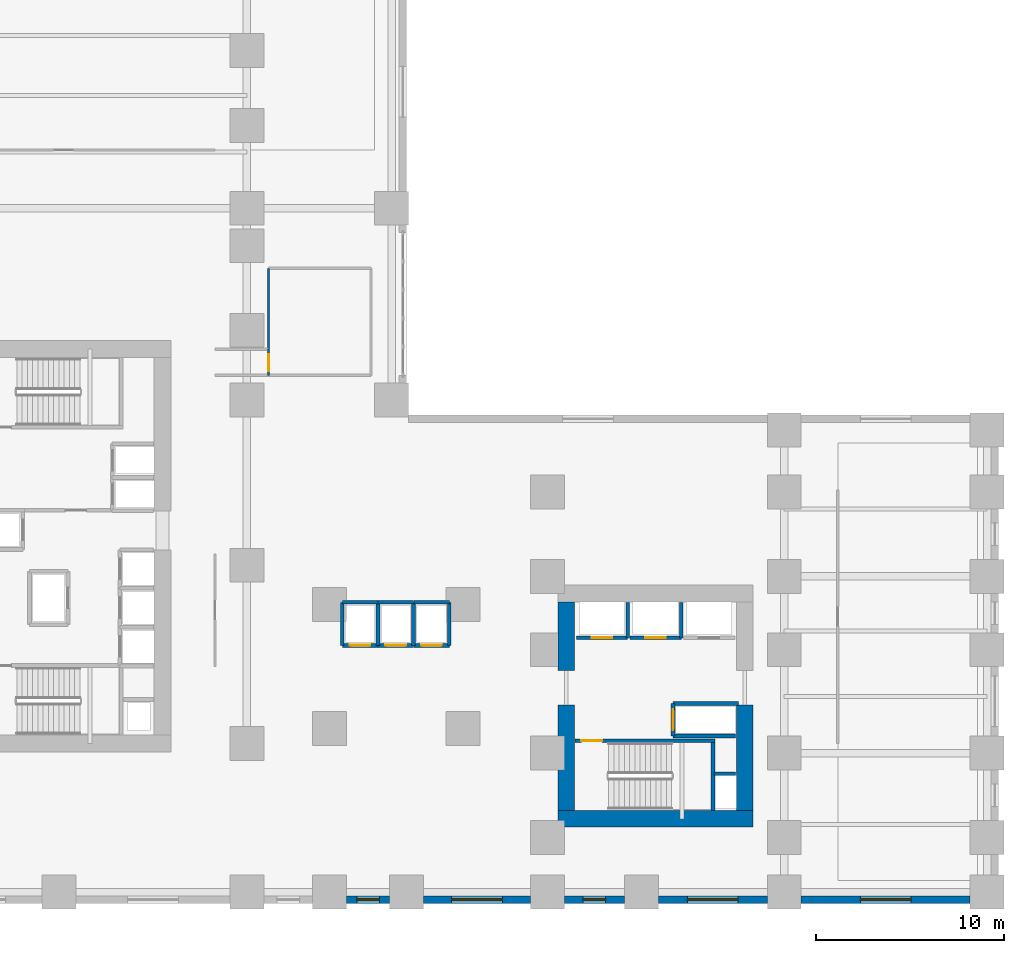
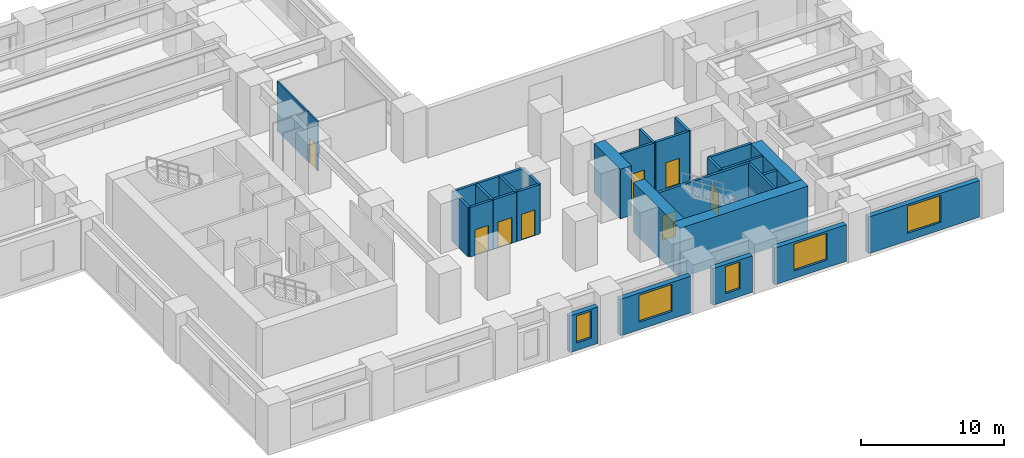
# One storey, part 8 of 13: 31 walls, 8 doors, 5 windows, 13 openings.
"""IFC4 building model written with IfcOpenShell, lengths in metres."""

import ifcopenshell
import ifcopenshell.guid

model = None  # the IFC model being written
_history = None  # IfcOwnerHistory: only IFC2X3 demands one
_inside = {}  # id of a spatial element -> (the spatial element, [elements in it])
_under = {}  # id of a project, library or spatial element -> (it, [spatial elements below it])
_declared = {}  # id of a project -> (the project, [libraries it declares])
_typed = {}  # id of a type object -> (the type object, [elements of that type])
_made_of = {}  # id of a material, layer set ... -> (it, [elements and type objects made of it])


def new_model(schema):
    """Start an empty IFC model of exactly this schema.

    Asked for "IFC4X3", IfcOpenShell would pick the latest addendum, in which some entities
    have other attributes; the version numbers below select the first issue.
    IFC2X3 requires an IfcOwnerHistory on every rooted entity: one is made here for all.
    """
    global model, _history
    if schema == "IFC4X3":
        model = ifcopenshell.file(schema_version=(4, 3, 0, 0))
    else:
        model = ifcopenshell.file(schema=schema)
    _inside.clear()
    _under.clear()
    _declared.clear()
    _typed.clear()
    _made_of.clear()
    _history = None
    if model.schema == "IFC2X3":
        org = make("IfcOrganization", Name="unknown")
        user = make(
            "IfcPersonAndOrganization",
            ThePerson=make("IfcPerson", FamilyName="unknown"),
            TheOrganization=org,
        )
        app = make(
            "IfcApplication",
            ApplicationDeveloper=org,
            Version="unknown",
            ApplicationFullName="unknown",
            ApplicationIdentifier="unknown",
        )
        _history = make(
            "IfcOwnerHistory",
            OwningUser=user,
            OwningApplication=app,
            ChangeAction="ADDED",
            CreationDate=0,
        )
    return model


def make(cls, **values):
    """One entity of the class cls with the attributes given. An attribute that is None is left unset."""
    return model.create_entity(
        cls, **{name: value for name, value in values.items() if value is not None}
    )


def rooted(cls, **values):
    """An entity with a GlobalId (a new one), such as an element, a storey or a relation."""
    return make(cls, GlobalId=ifcopenshell.guid.new(), OwnerHistory=_history, **values)


def si_unit(unit_type, name, prefix=None):
    """IfcSIUnit, for example si_unit("LENGTHUNIT", "METRE", prefix="MILLI")."""
    return make("IfcSIUnit", UnitType=unit_type, Prefix=prefix, Name=name)


def assignment(units):
    """IfcUnitAssignment: the units of a project."""
    return None if units is None else make("IfcUnitAssignment", Units=units)


def point(xyz):
    """IfcCartesianPoint."""
    return None if xyz is None else make("IfcCartesianPoint", Coordinates=xyz)


def direction(xyz):
    """IfcDirection."""
    return None if xyz is None else make("IfcDirection", DirectionRatios=xyz)


def frame(location, z_axis=None, x_axis=None):
    """IfcAxis2Placement3D, a coordinate frame: its origin and axes. An axis left out is left unset."""
    return make(
        "IfcAxis2Placement3D",
        Location=point(location),
        Axis=direction(z_axis),
        RefDirection=direction(x_axis),
    )


def frame_2d(location, x_axis=None):
    """IfcAxis2Placement2D, a coordinate frame in the plane: its origin and x axis."""
    return make(
        "IfcAxis2Placement2D", Location=point(location), RefDirection=direction(x_axis)
    )


def origin():
    """The frame at (0, 0, 0) with its axes left unset."""
    return frame((0.0, 0.0, 0.0))


def place(relative_to, where):
    """IfcLocalPlacement: puts the frame where relative to a parent placement (None: the world)."""
    return make(
        "IfcLocalPlacement", PlacementRelTo=relative_to, RelativePlacement=where
    )


def context(
    kind, dimensions, precision=None, world=None, true_north=None, identifier=None
):
    """IfcGeometricRepresentationContext, for example the 3D "Model" context."""
    return make(
        "IfcGeometricRepresentationContext",
        ContextIdentifier=identifier,
        ContextType=kind,
        CoordinateSpaceDimension=dimensions,
        Precision=precision,
        WorldCoordinateSystem=world,
        TrueNorth=true_north,
    )


def subcontext(parent, identifier, kind, view, scale=None):
    """IfcGeometricRepresentationSubContext, for example "Body" below "Model"."""
    return make(
        "IfcGeometricRepresentationSubContext",
        ContextIdentifier=identifier,
        ContextType=kind,
        ParentContext=parent,
        TargetScale=scale,
        TargetView=view,
    )


def project(units=None, contexts=None):
    """IfcProject with its units and contexts."""
    return rooted(
        "IfcProject",
        Name="project",
        RepresentationContexts=contexts,
        UnitsInContext=assignment(units),
    )


def spatial(cls, under=None, at=None, **own):
    """A site, building, storey or space (cls), placed at a placement, below another one or the project."""
    s = rooted(cls, ObjectPlacement=at, **own)
    if under is not None:
        _under.setdefault(under.id(), (under, []))[1].append(s)
    return s


def profile(cls, at=None, kind="AREA", **sizes):
    """A parametric profile (cls). Its sizes go by their IFC names, for example OverallWidth=200.0."""
    return make(cls, ProfileType=kind, Position=at, **sizes)


def rectangle(**sizes):
    """IfcRectangleProfileDef."""
    return profile("IfcRectangleProfileDef", **sizes)


def extrude(swept, where, along, depth):
    """IfcExtrudedAreaSolid: the profile swept, set in the frame where, extruded along a direction by depth."""
    return make(
        "IfcExtrudedAreaSolid",
        SweptArea=swept,
        Position=where,
        ExtrudedDirection=direction(along),
        Depth=depth,
    )


def shape(context_of_items, identifier, shape_type, items):
    """IfcShapeRepresentation: the items that make up one representation, for example the "Body"."""
    return make(
        "IfcShapeRepresentation",
        ContextOfItems=context_of_items,
        RepresentationIdentifier=identifier,
        RepresentationType=shape_type,
        Items=items,
    )


def source(mapping_origin, context_of_items, identifier, shape_type, items):
    """IfcRepresentationMap: a shape defined once, which mapped items show again and again."""
    return make(
        "IfcRepresentationMap",
        MappingOrigin=mapping_origin,
        MappedRepresentation=shape(context_of_items, identifier, shape_type, items),
    )


def transform(
    local_origin,
    x_axis=None,
    y_axis=None,
    z_axis=None,
    scale=None,
    scale2=None,
    scale3=None,
    uniform=True,
):
    """IfcCartesianTransformationOperator3D, or its non-uniform kind. x_axis, y_axis, z_axis: its Axis1, 2, 3."""
    if uniform:
        return make(
            "IfcCartesianTransformationOperator3D",
            Axis1=direction(x_axis),
            Axis2=direction(y_axis),
            LocalOrigin=point(local_origin),
            Scale=scale,
            Axis3=direction(z_axis),
        )
    return make(
        "IfcCartesianTransformationOperator3DnonUniform",
        Axis1=direction(x_axis),
        Axis2=direction(y_axis),
        LocalOrigin=point(local_origin),
        Scale=scale,
        Axis3=direction(z_axis),
        Scale2=scale2,
        Scale3=scale3,
    )


def mapped(mapping_source, mapping_target):
    """IfcMappedItem: shows the shape of a source again, moved by a transform."""
    return make(
        "IfcMappedItem", MappingSource=mapping_source, MappingTarget=mapping_target
    )


def material(Name=None, Category=None):
    """IfcMaterial."""
    return make("IfcMaterial", Name=Name, Category=Category)


def layer(
    of_material, thickness, ventilated=None, Name=None, Category=None, Priority=None
):
    """IfcMaterialLayer: one layer of a wall or slab, of a material (None: an air gap)."""
    return make(
        "IfcMaterialLayer",
        Material=of_material,
        LayerThickness=thickness,
        IsVentilated=ventilated,
        Name=Name,
        Category=Category,
        Priority=Priority,
    )


def layer_set(layers, Name=None):
    """IfcMaterialLayerSet."""
    return make("IfcMaterialLayerSet", MaterialLayers=layers, LayerSetName=Name)


def made_of(thing, what):
    """Note that an element or type object is made of a material, layer set ...; save() writes the relation."""
    if what is not None:
        _made_of.setdefault(what.id(), (what, []))[1].append(thing)
    return thing


def type_object(cls, material=None, **own):
    """A type object (cls), such as IfcWallType, which elements share."""
    return made_of(rooted(cls, **own), material)


def element(
    cls,
    number,
    at=None,
    inside=None,
    cuts=None,
    type_object=None,
    material=None,
    context=None,
    identifier="Body",
    shape_type=None,
    held_by="IfcProductDefinitionShape",
    body=None,
    shapes=None,
    **own,
):
    """One element of the class cls, such as IfcWall. Its Tag is "e" and its number.

    at: its placement. inside: the storey or other place that contains it. cuts: it is an
    opening in that element (IfcRelVoidsElement). A single representation is given by context,
    identifier, shape_type and body (its items); several are given by shapes. held_by: the class
    of the entity that holds the representations. save() writes the other relations.
    """
    e = rooted(cls, Tag="e%d" % number, ObjectPlacement=at, **own)
    if body is not None:
        shapes = [shape(context, identifier, shape_type, body)]
    if shapes is not None:
        e.Representation = make(held_by, Representations=shapes)
    if inside is not None:
        _inside.setdefault(inside.id(), (inside, []))[1].append(e)
    if cuts is not None:
        rooted(
            "IfcRelVoidsElement", RelatingBuildingElement=cuts, RelatedOpeningElement=e
        )
    if type_object is not None:
        _typed.setdefault(type_object.id(), (type_object, []))[1].append(e)
    return made_of(e, material)


def fill(opening, filler):
    """IfcRelFillsElement: the door or window that sits in an opening."""
    return rooted(
        "IfcRelFillsElement",
        RelatingOpeningElement=opening,
        RelatedBuildingElement=filler,
    )


def aggregate(whole, parts):
    """IfcRelAggregates: a whole, such as a stair, and the parts it consists of."""
    return rooted("IfcRelAggregates", RelatingObject=whole, RelatedObjects=parts)


def save(model, path):
    """Write the relations noted so far, then the file.

    IfcRelAggregates (storeys below a building ...), IfcRelContainedInSpatialStructure (elements
    in a storey), IfcRelDefinesByType, IfcRelAssociatesMaterial and IfcRelDeclares: one each for
    every whole, place, type object, material and project.
    """
    for whole, parts in _under.values():
        aggregate(whole, parts)
    for where, things in _inside.values():
        rooted(
            "IfcRelContainedInSpatialStructure",
            RelatedElements=things,
            RelatingStructure=where,
        )
    for kind, things in _typed.values():
        rooted("IfcRelDefinesByType", RelatedObjects=things, RelatingType=kind)
    for what, things in _made_of.values():
        rooted("IfcRelAssociatesMaterial", RelatedObjects=things, RelatingMaterial=what)
    for by, libraries in _declared.values():
        rooted("IfcRelDeclares", RelatingContext=by, RelatedDefinitions=libraries)
    model.write(path)


model = new_model("IFC4")

# Units and contexts
model_context = context("Model", 3, precision=1e-05, world=origin(), true_north=direction((0.0, 1.0)))
body_context = subcontext(model_context, "Body", "Model", "MODEL_VIEW")
ifc_project = project(units=[si_unit("LENGTHUNIT", "METRE"), si_unit("AREAUNIT", "SQUARE_METRE"), si_unit("VOLUMEUNIT", "CUBIC_METRE"), si_unit("PLANEANGLEUNIT", "RADIAN"), si_unit("MASSUNIT", "GRAM", prefix="KILO")], contexts=[model_context])

# Site, building, storey
site_placement = place(None, origin())
site = spatial("IfcSite", under=ifc_project, at=site_placement, CompositionType="ELEMENT")
building_placement = place(site_placement, origin())
building = spatial("IfcBuilding", under=site, at=building_placement, Name="Kharzan Plaza Tower", CompositionType="ELEMENT")
storey_placement = place(building_placement, frame((0.0, 0.0, 4.5)))
storey = spatial("IfcBuildingStorey", under=building, at=storey_placement, Name="L01", CompositionType="ELEMENT", Elevation=4.5)

# Wall, opening, door
ifc_material_1 = material(Name="Fire-Rated Gypsum Board Partition", Category="gypsum")
ifc_layer_1 = layer(ifc_material_1, 0.125)
ifc_layer_set_1 = layer_set([ifc_layer_1], Name="Fire-Rated Gypsum Board Partition")
wall_type_1 = type_object("IfcWallType", Name="WL-INT-PART-125", PredefinedType="PARTITIONING", material=ifc_layer_set_1)
wall_1_placement = place(storey_placement, frame((20.14990234375, 28.10009765625, 0.0), z_axis=(0.0, 0.0, 1.0), x_axis=(0.0, 1.0, 0.0)))
wall_1 = element("IfcWall", 1, at=wall_1_placement, inside=storey, type_object=wall_type_1, Name="L01 Interior Partition L01-WCPW", PredefinedType="PARTITIONING", context=body_context, shape_type="SweptSolid", body=[
    extrude(rectangle(XDim=1.39990234375, YDim=0.125, at=frame_2d((0.699951171875, 0.0))), origin(), (0.0, 0.0, 1.0), 4.235107421875),
])
opening_1_placement = place(wall_1_placement, frame((0.22509765625, 0.0, 0.0)))
opening_1 = element("IfcOpeningElement", 2, at=opening_1_placement, cuts=wall_1, Name="Opening WD1", PredefinedType="OPENING", context=body_context, shape_type="SweptSolid", body=[
    extrude(rectangle(XDim=0.89990234375, YDim=2.14990234375, at=frame_2d((0.449951171875, 1.074951171875))), frame((0.0, 0.072509765625, 0.0), z_axis=(0.0, -1.0, 0.0), x_axis=(1.0, 0.0, 0.0)), (0.0, 0.0, 1.0), 0.14501953125),
])
ifc_material_2 = material(Name="Moisture-Resistant Fire-Rated Laminate", Category="timber")
door_type_1 = type_object("IfcDoorType", Name="DR-WC-900", OperationType="NOTDEFINED", PredefinedType="DOOR", material=ifc_material_2)
shared_shape_1 = source(origin(), body_context, "Body", "SweptSolid", [
    extrude(rectangle(XDim=0.89990234375, YDim=2.14990234375, at=frame_2d((0.449951171875, 1.074951171875))), frame((0.0, 0.02490234375, 0.0), z_axis=(0.0, -1.0, 0.0), x_axis=(1.0, 0.0, 0.0)), (0.0, 0.0, 1.0), 0.050048828125),
])
door_1_placement = place(opening_1_placement, origin())
door_1 = element("IfcDoor", 3, at=door_1_placement, inside=storey, type_object=door_type_1, Name="L01 L01 Washroom Door", OperationType="SINGLE_SWING_LEFT", OverallHeight=2.14990234375, OverallWidth=0.89990234375, PredefinedType="DOOR", context=body_context, shape_type="MappedRepresentation", body=[
    mapped(shared_shape_1, transform((0.0, 0.0, 0.0), x_axis=(1.0, 0.0, 0.0), y_axis=(0.0, 1.0, 0.0), z_axis=(0.0, 0.0, 1.0))),
])
fill(opening_1, door_1)

ifc_material_3 = material(Name="Concrete C40/50", Category="concrete")
ifc_layer_2 = layer(ifc_material_3, 0.199951171875)
ifc_layer_set_2 = layer_set([ifc_layer_2], Name="Concrete C40/50")
wall_type_2 = type_object("IfcWallType", Name="WL-INT-SHAFT-200", PredefinedType="PARTITIONING", material=ifc_layer_set_2)
wall_2_placement = place(storey_placement, frame((36.530029296875, 14.1298828125, 0.0), z_axis=(0.0, 0.0, 1.0), x_axis=(1.0, 0.0, 0.0)))
wall_2 = element("IfcWall", 4, at=wall_2_placement, inside=storey, type_object=wall_type_2, Name="L01 Interior Partition SHF-PL-L1-S", PredefinedType="PARTITIONING", context=body_context, shape_type="SweptSolid", body=[
    extrude(rectangle(XDim=2.739990234375, YDim=0.199951171875, at=frame_2d((1.3701171875, 0.0))), origin(), (0.0, 0.0, 1.0), 4.235107421875),
])
opening_2_placement = place(wall_2_placement, frame((0.820068359375, 0.0, 0.0)))
opening_2 = element("IfcOpeningElement", 5, at=opening_2_placement, cuts=wall_2, Name="Opening LD", PredefinedType="OPENING", context=body_context, shape_type="SweptSolid", body=[
    extrude(rectangle(XDim=1.10009765625, YDim=2.199951171875, at=frame_2d((0.550048828125, 1.10009765625))), frame((0.0, 0.10986328125, 0.0), z_axis=(0.0, -1.0, 0.0), x_axis=(1.0, 0.0, 0.0)), (0.0, 0.0, 1.0), 0.219970703125),
])
ifc_material_4 = material(Name="Brushed Stainless Steel", Category="steel")
door_type_2 = type_object("IfcDoorType", Name="DR-LIFT-SLIDE", OperationType="SLIDING_TO_LEFT", PredefinedType="DOOR", material=ifc_material_4)
shared_shape_2 = source(origin(), body_context, "Body", "SweptSolid", [
    extrude(rectangle(XDim=1.10009765625, YDim=2.199951171875, at=frame_2d((0.550048828125, 1.10009765625))), frame((0.0, 0.02490234375, 0.0), z_axis=(0.0, -1.0, 0.0), x_axis=(1.0, 0.0, 0.0)), (0.0, 0.0, 1.0), 0.050048828125),
])
door_2_placement = place(opening_2_placement, origin())
door_2 = element("IfcDoor", 6, at=door_2_placement, inside=storey, type_object=door_type_2, Name="L01 Low-Rise Passenger Lift PL-L1 Sliding Landing Door", OperationType="SLIDING_TO_LEFT", OverallHeight=2.199951171875, OverallWidth=1.10009765625, PredefinedType="DOOR", context=body_context, shape_type="MappedRepresentation", body=[
    mapped(shared_shape_2, transform((0.0, 0.0, 0.0), x_axis=(1.0, 0.0, 0.0), y_axis=(0.0, 1.0, 0.0), z_axis=(0.0, 0.0, 1.0))),
])
fill(opening_2, door_2)

wall_3_placement = place(storey_placement, frame((39.3798828125, 14.1298828125, 0.0), z_axis=(0.0, 0.0, 1.0), x_axis=(1.0, 0.0, 0.0)))
wall_3 = element("IfcWall", 7, at=wall_3_placement, inside=storey, type_object=wall_type_2, Name="L01 Interior Partition SHF-PL-L2-S", PredefinedType="PARTITIONING", context=body_context, shape_type="SweptSolid", body=[
    extrude(rectangle(XDim=2.740234375, YDim=0.199951171875, at=frame_2d((1.3701171875, 0.0))), origin(), (0.0, 0.0, 1.0), 4.235107421875),
])
opening_3_placement = place(wall_3_placement, frame((0.820068359375, 0.0, 0.0)))
opening_3 = element("IfcOpeningElement", 8, at=opening_3_placement, cuts=wall_3, Name="Opening LD", PredefinedType="OPENING", context=body_context, shape_type="SweptSolid", body=[
    extrude(rectangle(XDim=1.10009765625, YDim=2.199951171875, at=frame_2d((0.550048828125, 1.10009765625))), frame((0.0, 0.10986328125, 0.0), z_axis=(0.0, -1.0, 0.0), x_axis=(1.0, 0.0, 0.0)), (0.0, 0.0, 1.0), 0.219970703125),
])
door_3_placement = place(opening_3_placement, origin())
door_3 = element("IfcDoor", 9, at=door_3_placement, inside=storey, type_object=door_type_2, Name="L01 Low-Rise Passenger Lift PL-L2 Sliding Landing Door", OperationType="SLIDING_TO_LEFT", OverallHeight=2.199951171875, OverallWidth=1.10009765625, PredefinedType="DOOR", context=body_context, shape_type="MappedRepresentation", body=[
    mapped(shared_shape_2, transform((0.0, 0.0, 0.0), x_axis=(1.0, 0.0, 0.0), y_axis=(0.0, 1.0, 0.0), z_axis=(0.0, 0.0, 1.0))),
])
fill(opening_3, door_3)

wall_4_placement = place(storey_placement, frame((24.080078125, 13.72998046875, 0.0), z_axis=(0.0, 0.0, 1.0), x_axis=(1.0, 0.0, 0.0)))
wall_4 = element("IfcWall", 10, at=wall_4_placement, inside=storey, type_object=wall_type_2, Name="L01 Interior Partition SHF-PL-M1-S", PredefinedType="PARTITIONING", context=body_context, shape_type="SweptSolid", body=[
    extrude(rectangle(XDim=1.889892578125, YDim=0.199951171875, at=frame_2d((0.94482421875, 0.0))), origin(), (0.0, 0.0, 1.0), 4.235107421875),
])
opening_4_placement = place(wall_4_placement, frame((0.39501953125, 0.0, 0.0)))
opening_4 = element("IfcOpeningElement", 11, at=opening_4_placement, cuts=wall_4, Name="Opening LD", PredefinedType="OPENING", context=body_context, shape_type="SweptSolid", body=[
    extrude(rectangle(XDim=1.10009765625, YDim=2.199951171875, at=frame_2d((0.550048828125, 1.10009765625))), frame((0.0, 0.10986328125, 0.0), z_axis=(0.0, -1.0, 0.0), x_axis=(1.0, 0.0, 0.0)), (0.0, 0.0, 1.0), 0.219970703125),
])
door_4_placement = place(opening_4_placement, origin())
door_4 = element("IfcDoor", 12, at=door_4_placement, inside=storey, type_object=door_type_2, Name="L01 Mid-Rise Passenger Lift PL-M1 Sliding Landing Door", OperationType="SLIDING_TO_LEFT", OverallHeight=2.199951171875, OverallWidth=1.10009765625, PredefinedType="DOOR", context=body_context, shape_type="MappedRepresentation", body=[
    mapped(shared_shape_2, transform((0.0, 0.0, 0.0), x_axis=(1.0, 0.0, 0.0), y_axis=(0.0, 1.0, 0.0), z_axis=(0.0, 0.0, 1.0))),
])
fill(opening_4, door_4)

wall_5_placement = place(storey_placement, frame((25.97998046875, 13.72998046875, 0.0), z_axis=(0.0, 0.0, 1.0), x_axis=(1.0, 0.0, 0.0)))
wall_5 = element("IfcWall", 13, at=wall_5_placement, inside=storey, type_object=wall_type_2, Name="L01 Interior Partition SHF-PL-M2-S", PredefinedType="PARTITIONING", context=body_context, shape_type="SweptSolid", body=[
    extrude(rectangle(XDim=1.89013671875, YDim=0.199951171875, at=frame_2d((0.945068359375, 0.0))), origin(), (0.0, 0.0, 1.0), 4.235107421875),
])
opening_5_placement = place(wall_5_placement, frame((0.39501953125, 0.0, 0.0)))
opening_5 = element("IfcOpeningElement", 14, at=opening_5_placement, cuts=wall_5, Name="Opening LD", PredefinedType="OPENING", context=body_context, shape_type="SweptSolid", body=[
    extrude(rectangle(XDim=1.10009765625, YDim=2.199951171875, at=frame_2d((0.550048828125, 1.10009765625))), frame((0.0, 0.10986328125, 0.0), z_axis=(0.0, -1.0, 0.0), x_axis=(1.0, 0.0, 0.0)), (0.0, 0.0, 1.0), 0.219970703125),
])
door_5_placement = place(opening_5_placement, origin())
door_5 = element("IfcDoor", 15, at=door_5_placement, inside=storey, type_object=door_type_2, Name="L01 Mid-Rise Passenger Lift PL-M2 Sliding Landing Door", OperationType="SLIDING_TO_LEFT", OverallHeight=2.199951171875, OverallWidth=1.10009765625, PredefinedType="DOOR", context=body_context, shape_type="MappedRepresentation", body=[
    mapped(shared_shape_2, transform((0.0, 0.0, 0.0), x_axis=(1.0, 0.0, 0.0), y_axis=(0.0, 1.0, 0.0), z_axis=(0.0, 0.0, 1.0))),
])
fill(opening_5, door_5)

wall_6_placement = place(storey_placement, frame((27.8798828125, 13.72998046875, 0.0), z_axis=(0.0, 0.0, 1.0), x_axis=(1.0, 0.0, 0.0)))
wall_6 = element("IfcWall", 16, at=wall_6_placement, inside=storey, type_object=wall_type_2, Name="L01 Interior Partition SHF-PL-M3-S", PredefinedType="PARTITIONING", context=body_context, shape_type="SweptSolid", body=[
    extrude(rectangle(XDim=1.89013671875, YDim=0.199951171875, at=frame_2d((0.945068359375, 0.0))), origin(), (0.0, 0.0, 1.0), 4.235107421875),
])
opening_6_placement = place(wall_6_placement, frame((0.39501953125, 0.0, 0.0)))
opening_6 = element("IfcOpeningElement", 17, at=opening_6_placement, cuts=wall_6, Name="Opening LD", PredefinedType="OPENING", context=body_context, shape_type="SweptSolid", body=[
    extrude(rectangle(XDim=1.10009765625, YDim=2.199951171875, at=frame_2d((0.550048828125, 1.10009765625))), frame((0.0, 0.10986328125, 0.0), z_axis=(0.0, -1.0, 0.0), x_axis=(1.0, 0.0, 0.0)), (0.0, 0.0, 1.0), 0.219970703125),
])
door_6_placement = place(opening_6_placement, origin())
door_6 = element("IfcDoor", 18, at=door_6_placement, inside=storey, type_object=door_type_2, Name="L01 Mid-Rise Passenger Lift PL-M3 Sliding Landing Door", OperationType="SLIDING_TO_LEFT", OverallHeight=2.199951171875, OverallWidth=1.10009765625, PredefinedType="DOOR", context=body_context, shape_type="MappedRepresentation", body=[
    mapped(shared_shape_2, transform((0.0, 0.0, 0.0), x_axis=(1.0, 0.0, 0.0), y_axis=(0.0, 1.0, 0.0), z_axis=(0.0, 0.0, 1.0))),
])
fill(opening_6, door_6)

wall_7_placement = place(storey_placement, frame((41.679931640625, 8.89990234375, 0.0), z_axis=(0.0, 0.0, 1.0), x_axis=(0.0, 1.0, 0.0)))
wall_7 = element("IfcWall", 19, at=wall_7_placement, inside=storey, type_object=wall_type_2, Name="L01 Interior Partition SHF-SVL-2-W", PredefinedType="PARTITIONING", context=body_context, shape_type="SweptSolid", body=[
    extrude(rectangle(XDim=1.739990234375, YDim=0.199951171875, at=frame_2d((0.8701171875, 0.0))), origin(), (0.0, 0.0, 1.0), 4.235107421875),
])
opening_7_placement = place(wall_7_placement, frame((0.320068359375, 0.0, 0.0)))
opening_7 = element("IfcOpeningElement", 20, at=opening_7_placement, cuts=wall_7, Name="Opening LD", PredefinedType="OPENING", context=body_context, shape_type="SweptSolid", body=[
    extrude(rectangle(XDim=1.10009765625, YDim=2.199951171875, at=frame_2d((0.550048828125, 1.10009765625))), frame((0.0, 0.10986328125, 0.0), z_axis=(0.0, -1.0, 0.0), x_axis=(1.0, 0.0, 0.0)), (0.0, 0.0, 1.0), 0.219970703125),
])
door_7_placement = place(opening_7_placement, origin())
door_7 = element("IfcDoor", 21, at=door_7_placement, inside=storey, type_object=door_type_2, Name="L01 Service Lift SVL-2 Sliding Landing Door", OperationType="SLIDING_TO_LEFT", OverallHeight=2.199951171875, OverallWidth=1.10009765625, PredefinedType="DOOR", context=body_context, shape_type="MappedRepresentation", body=[
    mapped(shared_shape_2, transform((0.0, 0.0, 0.0), x_axis=(1.0, 0.0, 0.0), y_axis=(0.0, 1.0, 0.0), z_axis=(0.0, 0.0, 1.0))),
])
fill(opening_7, door_7)

# Wall, opening, window
ifc_layer_3 = layer(ifc_material_3, 0.39990234375)
ifc_layer_set_3 = layer_set([ifc_layer_3], Name="Concrete C40/50")
wall_type_3 = type_object("IfcWallType", Name="WL-POD-MAS-400", PredefinedType="SOLIDWALL", material=ifc_layer_set_3)
wall_8_placement = place(storey_placement, frame((24.298095703125, 0.199951171875, 0.0), z_axis=(0.0, 0.0, 1.0), x_axis=(1.0, 0.0, 0.0)))
wall_8 = element("IfcWall", 22, at=wall_8_placement, inside=storey, type_object=wall_type_3, Name="L01 Masonry-Frame Exterior Wall 20", PredefinedType="SOLIDWALL", context=body_context, shape_type="SweptSolid", body=[
    extrude(rectangle(XDim=2.303955078125, YDim=0.39990234375, at=frame_2d((1.15185546875, 0.0))), origin(), (0.0, 0.0, 1.0), 3.135009765625),
])
opening_8_placement = place(wall_8_placement, frame((0.552001953125, 0.0, 0.64990234375)))
opening_8 = element("IfcOpeningElement", 23, at=opening_8_placement, cuts=wall_8, Name="Opening W3", PredefinedType="OPENING", context=body_context, shape_type="SweptSolid", body=[
    extrude(rectangle(XDim=1.199951171875, YDim=2.304931640625, at=frame_2d((0.60009765625, 1.15234375))), frame((0.0, 0.2099609375, 0.0), z_axis=(0.0, -1.0, 0.0), x_axis=(1.0, 0.0, 0.0)), (0.0, 0.0, 1.0), 0.419921875),
])
ifc_material_5 = material(Name="Low-E Double Glazing", Category="glass")
window_type_1 = type_object("IfcWindowType", Name="WN-REC-1200x2100", PartitioningType="SINGLE_PANEL", PredefinedType="WINDOW", material=ifc_material_5)
shared_shape_3 = source(origin(), body_context, "Body", "SweptSolid", [
    extrude(rectangle(XDim=1.199951171875, YDim=2.304931640625, at=frame_2d((0.60009765625, 1.15234375))), frame((0.0, 0.030029296875, 0.0), z_axis=(0.0, -1.0, 0.0), x_axis=(1.0, 0.0, 0.0)), (0.0, 0.0, 1.0), 0.06005859375),
])
window_1_placement = place(opening_8_placement, origin())
window_1 = element("IfcWindow", 24, at=window_1_placement, inside=storey, type_object=window_type_1, Name="L01 Recessed Solar-Control Window 20-1", OverallHeight=2.304931640625, OverallWidth=1.199951171875, PartitioningType="SINGLE_PANEL", PredefinedType="WINDOW", context=body_context, shape_type="MappedRepresentation", body=[
    mapped(shared_shape_3, transform((0.0, 0.0, 0.0), x_axis=(1.0, 0.0, 0.0), y_axis=(0.0, 1.0, 0.0), z_axis=(0.0, 0.0, 1.0))),
])
fill(opening_8, window_1)

wall_9_placement = place(storey_placement, frame((28.39794921875, 0.199951171875, 0.0), z_axis=(0.0, 0.0, 1.0), x_axis=(1.0, 0.0, 0.0)))
wall_9 = element("IfcWall", 25, at=wall_9_placement, inside=storey, type_object=wall_type_3, Name="L01 Masonry-Frame Exterior Wall 21", PredefinedType="SOLIDWALL", context=body_context, shape_type="SweptSolid", body=[
    extrude(rectangle(XDim=5.7041015625, YDim=0.39990234375, at=frame_2d((2.85205078125, 0.0))), origin(), (0.0, 0.0, 1.0), 3.135009765625),
])
opening_9_placement = place(wall_9_placement, frame((1.501953125, 0.0, 0.64990234375)))
opening_9 = element("IfcOpeningElement", 26, at=opening_9_placement, cuts=wall_9, Name="Opening W4", PredefinedType="OPENING", context=body_context, shape_type="SweptSolid", body=[
    extrude(rectangle(XDim=2.699951171875, YDim=2.304931640625, at=frame_2d((1.35009765625, 1.15234375))), frame((0.0, 0.2099609375, 0.0), z_axis=(0.0, -1.0, 0.0), x_axis=(1.0, 0.0, 0.0)), (0.0, 0.0, 1.0), 0.419921875),
])
window_type_2 = type_object("IfcWindowType", Name="WN-POD-2700x2600", PartitioningType="SINGLE_PANEL", PredefinedType="WINDOW", material=ifc_material_5)
shared_shape_4 = source(origin(), body_context, "Body", "SweptSolid", [
    extrude(rectangle(XDim=2.699951171875, YDim=2.304931640625, at=frame_2d((1.35009765625, 1.15234375))), frame((0.0, 0.030029296875, 0.0), z_axis=(0.0, -1.0, 0.0), x_axis=(1.0, 0.0, 0.0)), (0.0, 0.0, 1.0), 0.06005859375),
])
window_2_placement = place(opening_9_placement, origin())
window_2 = element("IfcWindow", 27, at=window_2_placement, inside=storey, type_object=window_type_2, Name="L01 Recessed Solar-Control Window 21-1", OverallHeight=2.304931640625, OverallWidth=2.699951171875, PartitioningType="SINGLE_PANEL", PredefinedType="WINDOW", context=body_context, shape_type="MappedRepresentation", body=[
    mapped(shared_shape_4, transform((0.0, 0.0, 0.0), x_axis=(1.0, 0.0, 0.0), y_axis=(0.0, 1.0, 0.0), z_axis=(0.0, 0.0, 1.0))),
])
fill(opening_9, window_2)

wall_10_placement = place(storey_placement, frame((35.89794921875, 0.199951171875, 0.0), z_axis=(0.0, 0.0, 1.0), x_axis=(1.0, 0.0, 0.0)))
wall_10 = element("IfcWall", 28, at=wall_10_placement, inside=storey, type_object=wall_type_3, Name="L01 Masonry-Frame Exterior Wall 22", PredefinedType="SOLIDWALL", context=body_context, shape_type="SweptSolid", body=[
    extrude(rectangle(XDim=3.2041015625, YDim=0.39990234375, at=frame_2d((1.60205078125, 0.0))), origin(), (0.0, 0.0, 1.0), 3.135009765625),
])
opening_10_placement = place(wall_10_placement, frame((1.001953125, 0.0, 0.64990234375)))
opening_10 = element("IfcOpeningElement", 29, at=opening_10_placement, cuts=wall_10, Name="Opening W3", PredefinedType="OPENING", context=body_context, shape_type="SweptSolid", body=[
    extrude(rectangle(XDim=1.199951171875, YDim=2.304931640625, at=frame_2d((0.60009765625, 1.15234375))), frame((0.0, 0.2099609375, 0.0), z_axis=(0.0, -1.0, 0.0), x_axis=(1.0, 0.0, 0.0)), (0.0, 0.0, 1.0), 0.419921875),
])
window_3_placement = place(opening_10_placement, origin())
window_3 = element("IfcWindow", 30, at=window_3_placement, inside=storey, type_object=window_type_1, Name="L01 Recessed Solar-Control Window 22-1", OverallHeight=2.304931640625, OverallWidth=1.199951171875, PartitioningType="SINGLE_PANEL", PredefinedType="WINDOW", context=body_context, shape_type="MappedRepresentation", body=[
    mapped(shared_shape_3, transform((0.0, 0.0, 0.0), x_axis=(1.0, 0.0, 0.0), y_axis=(0.0, 1.0, 0.0), z_axis=(0.0, 0.0, 1.0))),
])
fill(opening_10, window_3)

wall_11_placement = place(storey_placement, frame((40.89794921875, 0.199951171875, 0.0), z_axis=(0.0, 0.0, 1.0), x_axis=(1.0, 0.0, 0.0)))
wall_11 = element("IfcWall", 31, at=wall_11_placement, inside=storey, type_object=wall_type_3, Name="L01 Masonry-Frame Exterior Wall 23", PredefinedType="SOLIDWALL", context=body_context, shape_type="SweptSolid", body=[
    extrude(rectangle(XDim=5.803955078125, YDim=0.39990234375, at=frame_2d((2.90185546875, 0.0))), origin(), (0.0, 0.0, 1.0), 3.135009765625),
])
opening_11_placement = place(wall_11_placement, frame((1.552001953125, 0.0, 0.64990234375)))
opening_11 = element("IfcOpeningElement", 32, at=opening_11_placement, cuts=wall_11, Name="Opening W4", PredefinedType="OPENING", context=body_context, shape_type="SweptSolid", body=[
    extrude(rectangle(XDim=2.699951171875, YDim=2.304931640625, at=frame_2d((1.35009765625, 1.15234375))), frame((0.0, 0.2099609375, 0.0), z_axis=(0.0, -1.0, 0.0), x_axis=(1.0, 0.0, 0.0)), (0.0, 0.0, 1.0), 0.419921875),
])
window_4_placement = place(opening_11_placement, origin())
window_4 = element("IfcWindow", 33, at=window_4_placement, inside=storey, type_object=window_type_2, Name="L01 Recessed Solar-Control Window 23-1", OverallHeight=2.304931640625, OverallWidth=2.699951171875, PartitioningType="SINGLE_PANEL", PredefinedType="WINDOW", context=body_context, shape_type="MappedRepresentation", body=[
    mapped(shared_shape_4, transform((0.0, 0.0, 0.0), x_axis=(1.0, 0.0, 0.0), y_axis=(0.0, 1.0, 0.0), z_axis=(0.0, 0.0, 1.0))),
])
fill(opening_11, window_4)

wall_12_placement = place(storey_placement, frame((48.498046875, 0.199951171875, 0.0), z_axis=(0.0, 0.0, 1.0), x_axis=(1.0, 0.0, 0.0)))
wall_12 = element("IfcWall", 34, at=wall_12_placement, inside=storey, type_object=wall_type_3, Name="L01 Masonry-Frame Exterior Wall 24", PredefinedType="SOLIDWALL", context=body_context, shape_type="SweptSolid", body=[
    extrude(rectangle(XDim=9.00390625, YDim=0.39990234375, at=frame_2d((4.501953125, 0.0))), origin(), (0.0, 0.0, 1.0), 3.135009765625),
])
opening_12_placement = place(wall_12_placement, frame((3.152099609375, 0.0, 0.64990234375)))
opening_12 = element("IfcOpeningElement", 35, at=opening_12_placement, cuts=wall_12, Name="Opening W4", PredefinedType="OPENING", context=body_context, shape_type="SweptSolid", body=[
    extrude(rectangle(XDim=2.699951171875, YDim=2.304931640625, at=frame_2d((1.35009765625, 1.15234375))), frame((0.0, 0.2099609375, 0.0), z_axis=(0.0, -1.0, 0.0), x_axis=(1.0, 0.0, 0.0)), (0.0, 0.0, 1.0), 0.419921875),
])
window_5_placement = place(opening_12_placement, origin())
window_5 = element("IfcWindow", 36, at=window_5_placement, inside=storey, type_object=window_type_2, Name="L01 Recessed Solar-Control Window 24-1", OverallHeight=2.304931640625, OverallWidth=2.699951171875, PartitioningType="SINGLE_PANEL", PredefinedType="WINDOW", context=body_context, shape_type="MappedRepresentation", body=[
    mapped(shared_shape_4, transform((0.0, 0.0, 0.0), x_axis=(1.0, 0.0, 0.0), y_axis=(0.0, 1.0, 0.0), z_axis=(0.0, 0.0, 1.0))),
])
fill(opening_12, window_5)

# Wall, opening, door
ifc_material_6 = material(Name="Concrete C50/60", Category="concrete")
ifc_layer_4 = layer(ifc_material_6, 0.199951171875)
ifc_layer_set_4 = layer_set([ifc_layer_4], Name="Concrete C50/60")
wall_type_4 = type_object("IfcWallType", Name="WL-SHAFT-RC200", PredefinedType="SHEAR", material=ifc_layer_set_4)
wall_13_placement = place(storey_placement, frame((36.451904296875, 8.655029296875, 0.0), z_axis=(0.0, 0.0, 1.0), x_axis=(1.0, 0.0, 0.0)))
wall_13 = element("IfcWall", 37, at=wall_13_placement, inside=storey, type_object=wall_type_4, Name="L01 Stair ST-3 North RC Shaft Wall", PredefinedType="SHEAR", context=body_context, shape_type="SweptSolid", body=[
    extrude(rectangle(XDim=7.453125, YDim=0.199951171875, at=frame_2d((3.7265625, 0.0))), origin(), (0.0, 0.0, 1.0), 4.25),
])
opening_13_placement = place(wall_13_placement, frame((0.35009765625, 0.0, 0.0)))
opening_13 = element("IfcOpeningElement", 38, at=opening_13_placement, cuts=wall_13, Name="Opening SD1", PredefinedType="OPENING", context=body_context, shape_type="SweptSolid", body=[
    extrude(rectangle(XDim=1.10009765625, YDim=2.14990234375, at=frame_2d((0.550048828125, 1.074951171875))), frame((0.0, 0.10986328125, 0.0), z_axis=(0.0, -1.0, 0.0), x_axis=(1.0, 0.0, 0.0)), (0.0, 0.0, 1.0), 0.219970703125),
])
ifc_material_7 = material(Name="Fire-Rated Hollow Galvanized Steel", Category="steel")
door_type_3 = type_object("IfcDoorType", Name="DR-STAIR-FD120", OperationType="NOTDEFINED", PredefinedType="DOOR", material=ifc_material_7)
shared_shape_5 = source(origin(), body_context, "Body", "SweptSolid", [
    extrude(rectangle(XDim=1.10009765625, YDim=2.14990234375, at=frame_2d((0.550048828125, 1.074951171875))), frame((0.0, 0.02490234375, 0.0), z_axis=(0.0, -1.0, 0.0), x_axis=(1.0, 0.0, 0.0)), (0.0, 0.0, 1.0), 0.050048828125),
])
door_8_placement = place(opening_13_placement, origin())
door_8 = element("IfcDoor", 39, at=door_8_placement, inside=storey, type_object=door_type_3, Name="L01 Stair ST-3 Fire Exit Door", OperationType="SINGLE_SWING_RIGHT", OverallHeight=2.14990234375, OverallWidth=1.10009765625, PredefinedType="DOOR", context=body_context, shape_type="MappedRepresentation", body=[
    mapped(shared_shape_5, transform((0.0, 0.0, 0.0), x_axis=(1.0, 0.0, 0.0), y_axis=(0.0, 1.0, 0.0), z_axis=(0.0, 0.0, 1.0))),
])
fill(opening_13, door_8)

# Walls
ifc_material_8 = material(Name="Concrete C60/75", Category="concrete")
ifc_layer_5 = layer(ifc_material_8, 0.89990234375)
ifc_layer_set_5 = layer_set([ifc_layer_5], Name="Concrete C60/75")
wall_type_5 = type_object("IfcWallType", Name="WL-CORE-900", PredefinedType="SHEAR", material=ifc_layer_set_5)
shared_shape_6 = source(origin(), body_context, "Body", "SweptSolid", [
    extrude(rectangle(XDim=5.60009765625, YDim=0.89990234375, at=frame_2d((2.800048828125, 0.0))), origin(), (0.0, 0.0, 1.0), 4.25),
])
for number, where, z_axis, x_axis, name in (
    (40, (45.5, 4.949951171875, 0.0), (0.0, 0.0, 1.0), (0.0, 1.0, 0.0), "L01 CORE-B east shear pier 1"),
    (41, (36.0, 4.949951171875, 0.0), (0.0, 0.0, 1.0), (0.0, 1.0, 0.0), "L01 CORE-B west shear pier 1"),
):
    element("IfcWall", number, at=place(storey_placement, frame(where, z_axis=z_axis, x_axis=x_axis)), inside=storey, type_object=wall_type_5, Name=name, PredefinedType="SHEAR", context=body_context, shape_type="MappedRepresentation", body=[
        mapped(shared_shape_6, transform((0.0, 0.0, 0.0), x_axis=(1.0, 0.0, 0.0), y_axis=(0.0, 1.0, 0.0), z_axis=(0.0, 0.0, 1.0))),
    ])
shared_shape_7 = source(origin(), body_context, "Body", "SweptSolid", [
    extrude(rectangle(XDim=3.650146484375, YDim=0.89990234375, at=frame_2d((1.8251953125, 0.0))), origin(), (0.0, 0.0, 1.0), 4.25),
])
wall_14_placement = place(storey_placement, frame((36.0, 12.39990234375, 0.0), z_axis=(0.0, 0.0, 1.0), x_axis=(0.0, 1.0, 0.0)))
element("IfcWall", 42, at=wall_14_placement, inside=storey, type_object=wall_type_5, Name="L01 CORE-B west shear pier 2", PredefinedType="SHEAR", context=body_context, shape_type="MappedRepresentation", body=[
    mapped(shared_shape_7, transform((0.0, 0.0, 0.0), x_axis=(1.0, 0.0, 0.0), y_axis=(0.0, 1.0, 0.0), z_axis=(0.0, 0.0, 1.0))),
])
shared_shape_8 = source(origin(), body_context, "Body", "SweptSolid", [
    extrude(rectangle(XDim=10.39990234375, YDim=0.89990234375, at=frame_2d((5.199951171875, 0.0))), origin(), (0.0, 0.0, 1.0), 4.25),
])
wall_15_placement = place(storey_placement, frame((35.550048828125, 4.5, 0.0), z_axis=(0.0, 0.0, 1.0), x_axis=(1.0, 0.0, 0.0)))
element("IfcWall", 43, at=wall_15_placement, inside=storey, type_object=wall_type_5, Name="L01 CORE-B south RC shear wall", PredefinedType="SHEAR", context=body_context, shape_type="MappedRepresentation", body=[
    mapped(shared_shape_8, transform((0.0, 0.0, 0.0), x_axis=(1.0, 0.0, 0.0), y_axis=(0.0, 1.0, 0.0), z_axis=(0.0, 0.0, 1.0))),
])
shared_shape_9 = source(origin(), body_context, "Body", "SweptSolid", [
    extrude(rectangle(XDim=4.300048828125, YDim=0.125, at=frame_2d((2.14990234375, 0.0))), origin(), (0.0, 0.0, 1.0), 4.235107421875),
])
wall_16_placement = place(storey_placement, frame((20.14990234375, 29.5, 0.0), z_axis=(0.0, 0.0, 1.0), x_axis=(0.0, 1.0, 0.0)))
element("IfcWall", 44, at=wall_16_placement, inside=storey, type_object=wall_type_1, Name="L01 Interior Partition L01-WCPV1", PredefinedType="PARTITIONING", context=body_context, shape_type="MappedRepresentation", body=[
    mapped(shared_shape_9, transform((0.0, 0.0, 0.0), x_axis=(1.0, 0.0, 0.0), y_axis=(0.0, 1.0, 0.0), z_axis=(0.0, 0.0, 1.0))),
])
shared_shape_10 = source(origin(), body_context, "Body", "SweptSolid", [
    extrude(rectangle(XDim=1.169921875, YDim=0.199951171875, at=frame_2d((0.5849609375, 0.0))), origin(), (0.0, 0.0, 1.0), 4.235107421875),
])
wall_17_placement = place(storey_placement, frame((43.85009765625, 6.89990234375, 0.0), z_axis=(0.0, 0.0, 1.0), x_axis=(1.0, 0.0, 0.0)))
element("IfcWall", 45, at=wall_17_placement, inside=storey, type_object=wall_type_2, Name="L01 Interior Partition CB-RSRB-N", PredefinedType="PARTITIONING", context=body_context, shape_type="MappedRepresentation", body=[
    mapped(shared_shape_10, transform((0.0, 0.0, 0.0), x_axis=(1.0, 0.0, 0.0), y_axis=(0.0, 1.0, 0.0), z_axis=(0.0, 0.0, 1.0))),
])
shared_shape_11 = source(origin(), body_context, "Body", "SweptSolid", [
    extrude(rectangle(XDim=1.89013671875, YDim=0.199951171875, at=frame_2d((0.945068359375, 0.0))), origin(), (0.0, 0.0, 1.0), 4.235107421875),
])
for number, where, z_axis, x_axis, name in (
    (46, (39.27001953125, 14.1298828125, 0.0), (0.0, 0.0, 1.0), (0.0, 1.0, 0.0), "L01 Interior Partition SHF-PL-L1-E"),
    (47, (42.1201171875, 14.1298828125, 0.0), (0.0, 0.0, 1.0), (0.0, 1.0, 0.0), "L01 Interior Partition SHF-PL-L2-E"),
    (48, (25.97998046875, 16.02001953125, 0.0), (0.0, 0.0, 1.0), (1.0, 0.0, 0.0), "L01 Interior Partition SHF-PL-M2-N"),
    (49, (27.8798828125, 16.02001953125, 0.0), (0.0, 0.0, 1.0), (1.0, 0.0, 0.0), "L01 Interior Partition SHF-PL-M3-N"),
):
    element("IfcWall", number, at=place(storey_placement, frame(where, z_axis=z_axis, x_axis=x_axis)), inside=storey, type_object=wall_type_2, Name=name, PredefinedType="PARTITIONING", context=body_context, shape_type="MappedRepresentation", body=[
        mapped(shared_shape_11, transform((0.0, 0.0, 0.0), x_axis=(1.0, 0.0, 0.0), y_axis=(0.0, 1.0, 0.0), z_axis=(0.0, 0.0, 1.0))),
    ])
shared_shape_12 = source(origin(), body_context, "Body", "SweptSolid", [
    extrude(rectangle(XDim=2.2900390625, YDim=0.199951171875, at=frame_2d((1.14501953125, 0.0))), origin(), (0.0, 0.0, 1.0), 4.235107421875),
])
for number, where, z_axis, x_axis, name in (
    (50, (25.969970703125, 13.72998046875, 0.0), (0.0, 0.0, 1.0), (0.0, 1.0, 0.0), "L01 Interior Partition SHF-PL-M1-E"),
    (51, (24.080078125, 13.72998046875, 0.0), (0.0, 0.0, 1.0), (0.0, 1.0, 0.0), "L01 Interior Partition SHF-PL-M1-W"),
    (52, (27.8701171875, 13.72998046875, 0.0), (0.0, 0.0, 1.0), (0.0, 1.0, 0.0), "L01 Interior Partition SHF-PL-M2-E"),
    (53, (29.77001953125, 13.72998046875, 0.0), (0.0, 0.0, 1.0), (0.0, 1.0, 0.0), "L01 Interior Partition SHF-PL-M3-E"),
):
    element("IfcWall", number, at=place(storey_placement, frame(where, z_axis=z_axis, x_axis=x_axis)), inside=storey, type_object=wall_type_2, Name=name, PredefinedType="PARTITIONING", context=body_context, shape_type="MappedRepresentation", body=[
        mapped(shared_shape_12, transform((0.0, 0.0, 0.0), x_axis=(1.0, 0.0, 0.0), y_axis=(0.0, 1.0, 0.0), z_axis=(0.0, 0.0, 1.0))),
    ])
shared_shape_13 = source(origin(), body_context, "Body", "SweptSolid", [
    extrude(rectangle(XDim=1.889892578125, YDim=0.199951171875, at=frame_2d((0.94482421875, 0.0))), origin(), (0.0, 0.0, 1.0), 4.235107421875),
])
wall_18_placement = place(storey_placement, frame((24.080078125, 16.02001953125, 0.0), z_axis=(0.0, 0.0, 1.0), x_axis=(1.0, 0.0, 0.0)))
element("IfcWall", 54, at=wall_18_placement, inside=storey, type_object=wall_type_2, Name="L01 Interior Partition SHF-PL-M1-N", PredefinedType="PARTITIONING", context=body_context, shape_type="MappedRepresentation", body=[
    mapped(shared_shape_13, transform((0.0, 0.0, 0.0), x_axis=(1.0, 0.0, 0.0), y_axis=(0.0, 1.0, 0.0), z_axis=(0.0, 0.0, 1.0))),
])
shared_shape_14 = source(origin(), body_context, "Body", "SweptSolid", [
    extrude(rectangle(XDim=3.489990234375, YDim=0.199951171875, at=frame_2d((1.7451171875, 0.0))), origin(), (0.0, 0.0, 1.0), 4.235107421875),
])
wall_19_placement = place(storey_placement, frame((41.679931640625, 10.639892578125, 0.0), z_axis=(0.0, 0.0, 1.0), x_axis=(1.0, 0.0, 0.0)))
element("IfcWall", 55, at=wall_19_placement, inside=storey, type_object=wall_type_2, Name="L01 Interior Partition SHF-SVL-2-N", PredefinedType="PARTITIONING", context=body_context, shape_type="MappedRepresentation", body=[
    mapped(shared_shape_14, transform((0.0, 0.0, 0.0), x_axis=(1.0, 0.0, 0.0), y_axis=(0.0, 1.0, 0.0), z_axis=(0.0, 0.0, 1.0))),
])
shared_shape_15 = source(origin(), body_context, "Body", "SweptSolid", [
    extrude(rectangle(XDim=3.340087890625, YDim=0.199951171875, at=frame_2d((1.669921875, 0.0))), origin(), (0.0, 0.0, 1.0), 4.235107421875),
])
wall_20_placement = place(storey_placement, frame((41.679931640625, 8.89990234375, 0.0), z_axis=(0.0, 0.0, 1.0), x_axis=(1.0, 0.0, 0.0)))
element("IfcWall", 56, at=wall_20_placement, inside=storey, type_object=wall_type_2, Name="L01 Interior Partition SHF-SVL-2-S", PredefinedType="PARTITIONING", context=body_context, shape_type="MappedRepresentation", body=[
    mapped(shared_shape_15, transform((0.0, 0.0, 0.0), x_axis=(1.0, 0.0, 0.0), y_axis=(0.0, 1.0, 0.0), z_axis=(0.0, 0.0, 1.0))),
])
shared_shape_16 = source(origin(), body_context, "Body", "SweptSolid", [
    extrude(rectangle(XDim=3.60302734375, YDim=0.199951171875, at=frame_2d((1.801513671875, 0.0))), origin(), (0.0, 0.0, 1.0), 4.25),
])
wall_21_placement = place(storey_placement, frame((43.804931640625, 4.951904296875, 0.0), z_axis=(0.0, 0.0, 1.0), x_axis=(0.0, 1.0, 0.0)))
element("IfcWall", 57, at=wall_21_placement, inside=storey, type_object=wall_type_4, Name="L01 Stair ST-3 East RC Shaft Wall", PredefinedType="SHEAR", context=body_context, shape_type="MappedRepresentation", body=[
    mapped(shared_shape_16, transform((0.0, 0.0, 0.0), x_axis=(1.0, 0.0, 0.0), y_axis=(0.0, 1.0, 0.0), z_axis=(0.0, 0.0, 1.0))),
])

save(model, "model.ifc")
